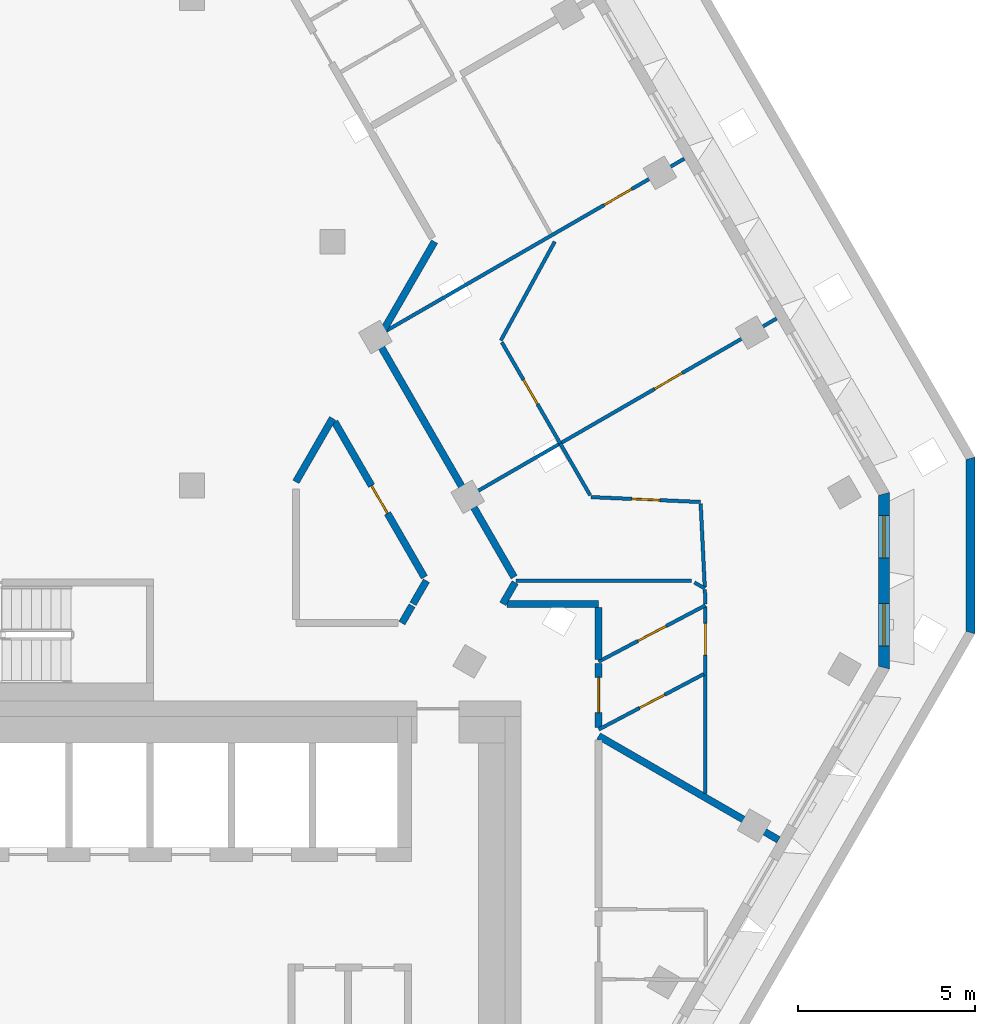
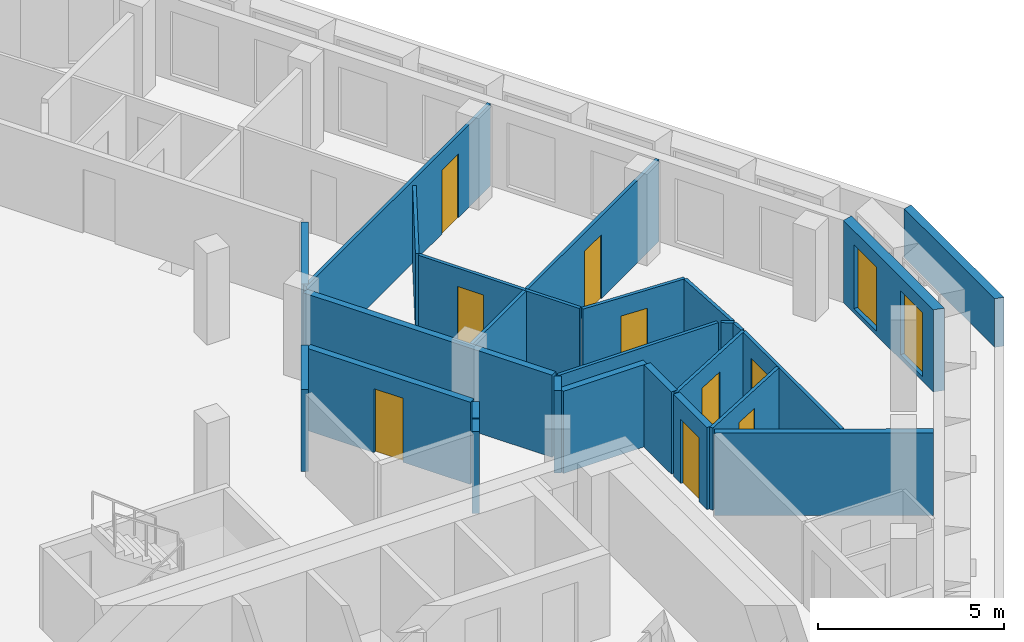
# One storey, part 6 of 15: 26 walls, 9 doors, 2 windows, 11 openings.
"""IFC4 building model written with IfcOpenShell, lengths in metres."""

from ifc_helpers import new_model, si_unit, direction, frame, frame_2d, origin, place, context, subcontext, project, spatial, polyline, rectangle, outline, extrude, material, layer, layer_set, type_object, element, fill, save


model = new_model("IFC4")

# Units and contexts
model_context = context("Model", 3, precision=1e-05, world=origin(), true_north=direction((0.0, 1.0)))
body_context = subcontext(model_context, "Body", "Model", "MODEL_VIEW")
ifc_project = project(units=[si_unit("LENGTHUNIT", "METRE"), si_unit("AREAUNIT", "SQUARE_METRE"), si_unit("VOLUMEUNIT", "CUBIC_METRE"), si_unit("PLANEANGLEUNIT", "RADIAN"), si_unit("MASSUNIT", "GRAM", prefix="KILO")], contexts=[model_context])

# Site, building, storey
site_placement = place(None, origin())
site = spatial("IfcSite", under=ifc_project, at=site_placement, CompositionType="ELEMENT")
building_placement = place(site_placement, origin())
building = spatial("IfcBuilding", under=site, at=building_placement, Name="Beryl Residences", CompositionType="ELEMENT")
storey_placement = place(building_placement, frame((0.0, 0.0, 202.800048828125)))
storey = spatial("IfcBuildingStorey", under=building, at=storey_placement, Name="L62", CompositionType="ELEMENT", Elevation=202.800048828125)

# Wall, openings, windows
ifc_material_1 = material(Name="Composite metal panel with mineral wool insulation")
ifc_layer_1 = layer(ifc_material_1, 0.300048828125)
ifc_layer_set_1 = layer_set([ifc_layer_1], Name="ES1 pale metal composite panel wall 300 mm")
wall_type_1 = type_object("IfcWallType", Name="ES1 pale metal composite panel wall 300 mm", PredefinedType="SOLIDWALL", material=ifc_layer_set_1)
wall_1_placement = place(storey_placement, frame((23.5791015625, -4.10009765625, 0.0), z_axis=(0.0, 0.0, 1.0), x_axis=(0.0, 1.0, 0.0)))
wall_1 = element("IfcWall", 1, at=wall_1_placement, inside=storey, type_object=wall_type_1, Name="ES1 external wall L62 SE-NE", PredefinedType="SOLIDWALL", context=body_context, shape_type="SweptSolid", body=[
    extrude(outline(polyline([(0.0, -0.14990234375), (5.0, -0.14990234375), (4.919677734375, 0.14990234375), (0.080322265625, 0.14990234375), (0.0, -0.14990234375)])), origin(), (0.0, 0.0, 1.0), 2.699951171875),
])
opening_1_placement = place(wall_1_placement, frame((0.64990234375, 0.0, 0.14990234375)))
opening_1 = element("IfcOpeningElement", 2, at=opening_1_placement, cuts=wall_1, Name="Opening W2", PredefinedType="OPENING", context=body_context, shape_type="SweptSolid", body=[
    extrude(rectangle(XDim=1.199951171875, YDim=2.10009765625, at=frame_2d((0.60009765625, 1.050048828125))), frame((0.0, 0.159912109375, 0.0), z_axis=(0.0, -1.0, 0.0), x_axis=(1.0, 0.0, 0.0)), (0.0, 0.0, 1.0), 0.320068359375),
])
opening_2_placement = place(wall_1_placement, frame((3.14990234375, 0.0, 0.14990234375)))
opening_2 = element("IfcOpeningElement", 3, at=opening_2_placement, cuts=wall_1, Name="Opening W2", PredefinedType="OPENING", context=body_context, shape_type="SweptSolid", body=[
    extrude(rectangle(XDim=1.199951171875, YDim=2.10009765625, at=frame_2d((0.60009765625, 1.050048828125))), frame((0.0, 0.159912109375, 0.0), z_axis=(0.0, -1.0, 0.0), x_axis=(1.0, 0.0, 0.0)), (0.0, 0.0, 1.0), 0.320068359375),
])
ifc_material_2 = material(Name="Aluminium and clear glass", Category="aluminium")
window_type = type_object("IfcWindowType", Name="W2 chamfer window 1200 x 2100 mm", PartitioningType="SINGLE_PANEL", PredefinedType="WINDOW", material=ifc_material_2)
window_1_placement = place(opening_1_placement, origin())
window_1 = element("IfcWindow", 4, at=window_1_placement, inside=storey, type_object=window_type, Name="W2 window L62 SE-NE 1", OverallHeight=2.10009765625, OverallWidth=1.199951171875, PartitioningType="SINGLE_PANEL", PredefinedType="WINDOW", context=body_context, shape_type="SweptSolid", body=[
    extrude(rectangle(XDim=1.199951171875, YDim=2.10009765625, at=frame_2d((0.60009765625, 1.050048828125))), frame((0.0, 0.030029296875, 0.0), z_axis=(0.0, -1.0, 0.0), x_axis=(1.0, 0.0, 0.0)), (0.0, 0.0, 1.0), 0.06005859375),
])
fill(opening_1, window_1)
window_2_placement = place(opening_2_placement, origin())
window_2 = element("IfcWindow", 5, at=window_2_placement, inside=storey, type_object=window_type, Name="W2 window L62 SE-NE 2", OverallHeight=2.10009765625, OverallWidth=1.199951171875, PartitioningType="SINGLE_PANEL", PredefinedType="WINDOW", context=body_context, shape_type="SweptSolid", body=[
    extrude(rectangle(XDim=1.199951171875, YDim=2.10009765625, at=frame_2d((0.60009765625, 1.050048828125))), frame((0.0, 0.030029296875, 0.0), z_axis=(0.0, -1.0, 0.0), x_axis=(1.0, 0.0, 0.0)), (0.0, 0.0, 1.0), 0.06005859375),
])
fill(opening_2, window_2)

# Wall
ifc_material_3 = material(Name="Precast concrete C40/50", Category="concrete")
ifc_layer_2 = layer(ifc_material_3, 0.25)
ifc_layer_set_2 = layer_set([ifc_layer_2], Name="PA1 roof parapet 250 mm")
wall_type_2 = type_object("IfcWallType", Name="PA1 roof parapet 250 mm", PredefinedType="PARAPET", material=ifc_layer_set_2)
wall_2_placement = place(storey_placement, frame((26.029052734375, 1.89990234375, 0.0), z_axis=(0.0, 0.0, 1.0), x_axis=(0.0, -1.0, 0.0)))
element("IfcWall", 6, at=wall_2_placement, inside=storey, type_object=wall_type_2, Name="PA1 parapet L62 strip 3", PredefinedType="PARAPET", context=body_context, shape_type="SweptSolid", body=[
    extrude(outline(polyline([(0.06689453125, -0.125), (4.93310546875, -0.125), (5.0, 0.125), (0.0, 0.125), (0.06689453125, -0.125)])), origin(), (0.0, 0.0, 1.0), 1.599853515625),
])

# Wall, opening, door
ifc_material_4 = material(Name="Gypsum board partition on steel studs", Category="steel")
ifc_layer_3 = layer(ifc_material_4, 0.10009765625)
ifc_layer_set_3 = layer_set([ifc_layer_3], Name="PT1 partition 100 mm gypsum board on steel studs")
wall_type_3 = type_object("IfcWallType", Name="PT1 partition 100 mm gypsum board on steel studs", PredefinedType="PARTITIONING", material=ifc_layer_set_3)
wall_3_placement = place(storey_placement, frame((12.759033203125, 5.14990234375, 0.0), z_axis=(0.0, 0.0, 1.0), x_axis=(0.499905801698, -0.866079782369, 0.0)))
wall_3 = element("IfcWall", 7, at=wall_3_placement, inside=storey, type_object=wall_type_3, Name="Wall PT1 L62 004", PredefinedType="PARTITIONING", context=body_context, shape_type="SweptSolid", body=[
    extrude(rectangle(XDim=3.304443359375, YDim=0.10009765625, at=frame_2d((1.65234375, 0.0))), origin(), (0.0, 0.0, 1.0), 2.699951171875),
])
opening_3_placement = place(wall_3_placement, frame((1.222900390625, 0.0, 0.0)))
opening_3 = element("IfcOpeningElement", 8, at=opening_3_placement, cuts=wall_3, Name="Opening D1836", PredefinedType="OPENING", context=body_context, shape_type="SweptSolid", body=[
    extrude(rectangle(XDim=0.800048828125, YDim=2.10009765625, at=frame_2d((0.39990234375, 1.050048828125))), frame((0.0, 0.06005859375, 0.0), z_axis=(0.0, -1.0, 0.0), x_axis=(1.0, 0.0, 0.0)), (0.0, 0.0, 1.0), 0.1201171875),
])
ifc_material_5 = material(Name="Timber door leaf", Category="wood")
door_type_1 = type_object("IfcDoorType", Name="D3 bathroom door 800 x 2100 mm", OperationType="SINGLE_SWING_LEFT", PredefinedType="DOOR", material=ifc_material_5)
door_1_placement = place(opening_3_placement, origin())
door_1 = element("IfcDoor", 9, at=door_1_placement, inside=storey, type_object=door_type_1, Name="Door D1836 L62 001", OperationType="SINGLE_SWING_RIGHT", OverallHeight=2.10009765625, OverallWidth=0.800048828125, PredefinedType="DOOR", context=body_context, shape_type="SweptSolid", body=[
    extrude(rectangle(XDim=0.800048828125, YDim=2.10009765625, at=frame_2d((0.39990234375, 1.050048828125))), frame((0.0, 0.02490234375, 0.0), z_axis=(0.0, -1.0, 0.0), x_axis=(1.0, 0.0, 0.0)), (0.0, 0.0, 1.0), 0.050048828125),
])
fill(opening_3, door_1)

# Walls
wall_4_placement = place(storey_placement, frame((18.387939453125, 0.5791015625, 0.0), z_axis=(0.0, 0.0, 1.0), x_axis=(0.049097293833, -0.998794000652, 0.0)))
element("IfcWall", 10, at=wall_4_placement, inside=storey, type_object=wall_type_3, Name="Wall PT1 L62 008", PredefinedType="PARTITIONING", context=body_context, shape_type="SweptSolid", body=[
    extrude(rectangle(XDim=2.362060546875, YDim=0.10009765625, at=frame_2d((1.18115234375, 0.0))), origin(), (0.0, 0.0, 1.0), 2.699951171875),
])
wall_5_placement = place(storey_placement, frame((18.507080078125, -1.85400390625, 0.0), z_axis=(0.0, 0.0, 1.0), x_axis=(0.036480787329, -0.999334354536, 0.0)))
element("IfcWall", 11, at=wall_5_placement, inside=storey, type_object=wall_type_3, Name="Wall PT1 L62 009", PredefinedType="PARTITIONING", context=body_context, shape_type="SweptSolid", body=[
    extrude(rectangle(XDim=0.408203125, YDim=0.10009765625, at=frame_2d((0.2041015625, 0.0))), origin(), (0.0, 0.0, 1.0), 2.699951171875),
])

# Wall, opening, door
wall_6_placement = place(storey_placement, frame((15.2880859375, 0.76806640625, 0.0), z_axis=(0.0, 0.0, 1.0), x_axis=(0.999006028269, -0.044575278833, 0.0)))
wall_6 = element("IfcWall", 12, at=wall_6_placement, inside=storey, type_object=wall_type_3, Name="Wall PT1 L62 014", PredefinedType="PARTITIONING", context=body_context, shape_type="SweptSolid", body=[
    extrude(rectangle(XDim=3.10009765625, YDim=0.10009765625, at=frame_2d((1.550048828125, 0.0))), origin(), (0.0, 0.0, 1.0), 2.699951171875),
])
opening_4_placement = place(wall_6_placement, frame((1.14990234375, 0.0, 0.0)))
opening_4 = element("IfcOpeningElement", 13, at=opening_4_placement, cuts=wall_6, Name="Opening D1834", PredefinedType="OPENING", context=body_context, shape_type="SweptSolid", body=[
    extrude(rectangle(XDim=0.800048828125, YDim=2.10009765625, at=frame_2d((0.39990234375, 1.050048828125))), frame((0.0, 0.06005859375, 0.0), z_axis=(0.0, -1.0, 0.0), x_axis=(1.0, 0.0, 0.0)), (0.0, 0.0, 1.0), 0.1201171875),
])
door_2_placement = place(opening_4_placement, origin())
door_2 = element("IfcDoor", 14, at=door_2_placement, inside=storey, type_object=door_type_1, Name="Door D1834 L62 001", OperationType="SINGLE_SWING_RIGHT", OverallHeight=2.10009765625, OverallWidth=0.800048828125, PredefinedType="DOOR", context=body_context, shape_type="SweptSolid", body=[
    extrude(rectangle(XDim=0.800048828125, YDim=2.10009765625, at=frame_2d((0.39990234375, 1.050048828125))), frame((0.0, 0.02490234375, 0.0), z_axis=(0.0, -1.0, 0.0), x_axis=(1.0, 0.0, 0.0)), (0.0, 0.0, 1.0), 0.050048828125),
])
fill(opening_4, door_2)

# Walls
wall_7_placement = place(storey_placement, frame((18.2119140625, -1.64892578125, 0.0), z_axis=(0.0, 0.0, 1.0), x_axis=(0.865622947871, -0.500696427109, 0.0)))
element("IfcWall", 15, at=wall_7_placement, inside=storey, type_object=wall_type_3, Name="Wall PT1 L62 019", PredefinedType="PARTITIONING", context=body_context, shape_type="SweptSolid", body=[
    extrude(rectangle(XDim=0.33984375, YDim=0.10009765625, at=frame_2d((0.169921875, 0.0))), origin(), (0.0, 0.0, 1.0), 2.699951171875),
])
wall_8_placement = place(storey_placement, frame((13.1630859375, -1.59912109375, 0.0), z_axis=(0.0, 0.0, 1.0), x_axis=(1.0, 0.0, 0.0)))
element("IfcWall", 16, at=wall_8_placement, inside=storey, type_object=wall_type_3, Name="Wall PT1 L62 025", PredefinedType="PARTITIONING", context=body_context, shape_type="SweptSolid", body=[
    extrude(rectangle(XDim=4.9619140625, YDim=0.10009765625, at=frame_2d((2.48095703125, 0.0))), origin(), (0.0, 0.0, 1.0), 2.699951171875),
])
wall_9_placement = place(storey_placement, frame((12.72900390625, 5.200927734375, 0.0), z_axis=(0.0, 0.0, 1.0), x_axis=(0.478932598182, 0.877851676764, 0.0)))
element("IfcWall", 17, at=wall_9_placement, inside=storey, type_object=wall_type_3, Name="Wall PT1 L62 031", PredefinedType="PARTITIONING", context=body_context, shape_type="SweptSolid", body=[
    extrude(rectangle(XDim=3.1884765625, YDim=0.10009765625, at=frame_2d((1.59423828125, 0.0))), origin(), (0.0, 0.0, 1.0), 2.699951171875),
])

# Wall, opening, door
wall_10_placement = place(storey_placement, frame((18.52392578125, -7.625, 0.0), z_axis=(0.0, 0.0, 1.0), x_axis=(0.0, 1.0, 0.0)))
wall_10 = element("IfcWall", 18, at=wall_10_placement, inside=storey, type_object=wall_type_3, Name="Wall PT1 L62 038", PredefinedType="PARTITIONING", context=body_context, shape_type="SweptSolid", body=[
    extrude(rectangle(XDim=5.29296875, YDim=0.10009765625, at=frame_2d((2.646484375, 0.0))), origin(), (0.0, 0.0, 1.0), 2.699951171875),
])
opening_5_placement = place(wall_10_placement, frame((3.9169921875, 0.0, 0.0)))
opening_5 = element("IfcOpeningElement", 19, at=opening_5_placement, cuts=wall_10, Name="Opening D1832", PredefinedType="OPENING", context=body_context, shape_type="SweptSolid", body=[
    extrude(rectangle(XDim=0.89990234375, YDim=2.10009765625, at=frame_2d((0.449951171875, 1.050048828125))), frame((0.0, 0.06005859375, 0.0), z_axis=(0.0, -1.0, 0.0), x_axis=(1.0, 0.0, 0.0)), (0.0, 0.0, 1.0), 0.1201171875),
])
ifc_material_6 = material(Name="Timber door leaf", Category="wood")
door_type_2 = type_object("IfcDoorType", Name="D2 room door 900 x 2100 mm", OperationType="SINGLE_SWING_LEFT", PredefinedType="DOOR", material=ifc_material_6)
door_3_placement = place(opening_5_placement, origin())
door_3 = element("IfcDoor", 20, at=door_3_placement, inside=storey, type_object=door_type_2, Name="Door D1832 L62 001", OperationType="SINGLE_SWING_RIGHT", OverallHeight=2.10009765625, OverallWidth=0.89990234375, PredefinedType="DOOR", context=body_context, shape_type="SweptSolid", body=[
    extrude(rectangle(XDim=0.89990234375, YDim=2.10009765625, at=frame_2d((0.449951171875, 1.050048828125))), frame((0.0, 0.02490234375, 0.0), z_axis=(0.0, -1.0, 0.0), x_axis=(1.0, 0.0, 0.0)), (0.0, 0.0, 1.0), 0.050048828125),
])
fill(opening_5, door_3)

wall_11_placement = place(storey_placement, frame((15.5, -3.889892578125, 0.0), z_axis=(0.0, 0.0, 1.0), x_axis=(0.884504274727, 0.466532086775, 0.0)))
wall_11 = element("IfcWall", 21, at=wall_11_placement, inside=storey, type_object=wall_type_3, Name="Wall PT1 L62 043", PredefinedType="PARTITIONING", context=body_context, shape_type="SweptSolid", body=[
    extrude(rectangle(XDim=3.418701171875, YDim=0.10009765625, at=frame_2d((1.70947265625, 0.0))), origin(), (0.0, 0.0, 1.0), 2.699951171875),
])
opening_6_placement = place(wall_11_placement, frame((1.259033203125, 0.0, 0.0)))
opening_6 = element("IfcOpeningElement", 22, at=opening_6_placement, cuts=wall_11, Name="Opening D1831", PredefinedType="OPENING", context=body_context, shape_type="SweptSolid", body=[
    extrude(rectangle(XDim=0.89990234375, YDim=2.10009765625, at=frame_2d((0.449951171875, 1.050048828125))), frame((0.0, 0.06005859375, 0.0), z_axis=(0.0, -1.0, 0.0), x_axis=(1.0, 0.0, 0.0)), (0.0, 0.0, 1.0), 0.1201171875),
])
door_4_placement = place(opening_6_placement, origin())
door_4 = element("IfcDoor", 23, at=door_4_placement, inside=storey, type_object=door_type_2, Name="Door D1831 L62 001", OperationType="SINGLE_SWING_LEFT", OverallHeight=2.10009765625, OverallWidth=0.89990234375, PredefinedType="DOOR", context=body_context, shape_type="SweptSolid", body=[
    extrude(rectangle(XDim=0.89990234375, YDim=2.10009765625, at=frame_2d((0.449951171875, 1.050048828125))), frame((0.0, 0.02490234375, 0.0), z_axis=(0.0, -1.0, 0.0), x_axis=(1.0, 0.0, 0.0)), (0.0, 0.0, 1.0), 0.050048828125),
])
fill(opening_6, door_4)

wall_12_placement = place(storey_placement, frame((15.5, -5.81201171875, 0.0), z_axis=(0.0, 0.0, 1.0), x_axis=(0.884576181409, 0.46639573249, 0.0)))
wall_12 = element("IfcWall", 24, at=wall_12_placement, inside=storey, type_object=wall_type_3, Name="Wall PT1 L62 044", PredefinedType="PARTITIONING", context=body_context, shape_type="SweptSolid", body=[
    extrude(rectangle(XDim=3.3623046875, YDim=0.10009765625, at=frame_2d((1.68115234375, 0.0))), origin(), (0.0, 0.0, 1.0), 2.699951171875),
])
opening_7_placement = place(wall_12_placement, frame((1.30908203125, 0.0, 0.0)))
opening_7 = element("IfcOpeningElement", 25, at=opening_7_placement, cuts=wall_12, Name="Opening D1830", PredefinedType="OPENING", context=body_context, shape_type="SweptSolid", body=[
    extrude(rectangle(XDim=0.800048828125, YDim=2.10009765625, at=frame_2d((0.39990234375, 1.050048828125))), frame((0.0, 0.06005859375, 0.0), z_axis=(0.0, -1.0, 0.0), x_axis=(1.0, 0.0, 0.0)), (0.0, 0.0, 1.0), 0.1201171875),
])
door_5_placement = place(opening_7_placement, origin())
door_5 = element("IfcDoor", 26, at=door_5_placement, inside=storey, type_object=door_type_1, Name="Door D1830 L62 001", OperationType="SINGLE_SWING_RIGHT", OverallHeight=2.10009765625, OverallWidth=0.800048828125, PredefinedType="DOOR", context=body_context, shape_type="SweptSolid", body=[
    extrude(rectangle(XDim=0.800048828125, YDim=2.10009765625, at=frame_2d((0.39990234375, 1.050048828125))), frame((0.0, 0.02490234375, 0.0), z_axis=(0.0, -1.0, 0.0), x_axis=(1.0, 0.0, 0.0)), (0.0, 0.0, 1.0), 0.050048828125),
])
fill(opening_7, door_5)

wall_13_placement = place(storey_placement, frame((11.87890625, 0.825927734375, 0.0), z_axis=(0.0, 0.0, 1.0), x_axis=(0.866065245018, 0.499930986609, 0.0)))
wall_13 = element("IfcWall", 27, at=wall_13_placement, inside=storey, type_object=wall_type_3, Name="Wall PT1 L62 047", PredefinedType="PARTITIONING", context=body_context, shape_type="SweptSolid", body=[
    extrude(rectangle(XDim=9.99951171875, YDim=0.10009765625, at=frame_2d((4.999755859375, 0.0))), origin(), (0.0, 0.0, 1.0), 2.699951171875),
])
opening_8_placement = place(wall_13_placement, frame((6.011962890625, 0.0, 0.0)))
opening_8 = element("IfcOpeningElement", 28, at=opening_8_placement, cuts=wall_13, Name="Opening D1833", PredefinedType="OPENING", context=body_context, shape_type="SweptSolid", body=[
    extrude(rectangle(XDim=0.89990234375, YDim=2.10009765625, at=frame_2d((0.449951171875, 1.050048828125))), frame((0.0, 0.06005859375, 0.0), z_axis=(0.0, -1.0, 0.0), x_axis=(1.0, 0.0, 0.0)), (0.0, 0.0, 1.0), 0.1201171875),
])
door_6_placement = place(opening_8_placement, origin())
door_6 = element("IfcDoor", 29, at=door_6_placement, inside=storey, type_object=door_type_2, Name="Door D1833 L62 001", OperationType="SINGLE_SWING_LEFT", OverallHeight=2.10009765625, OverallWidth=0.89990234375, PredefinedType="DOOR", context=body_context, shape_type="SweptSolid", body=[
    extrude(rectangle(XDim=0.89990234375, YDim=2.10009765625, at=frame_2d((0.449951171875, 1.050048828125))), frame((0.0, 0.02490234375, 0.0), z_axis=(0.0, -1.0, 0.0), x_axis=(1.0, 0.0, 0.0)), (0.0, 0.0, 1.0), 0.050048828125),
])
fill(opening_8, door_6)

wall_14_placement = place(storey_placement, frame((9.35400390625, 5.40087890625, 0.0), z_axis=(0.0, 0.0, 1.0), x_axis=(0.866018411306, 0.500012111133, 0.0)))
wall_14 = element("IfcWall", 30, at=wall_14_placement, inside=storey, type_object=wall_type_3, Name="Wall PT1 L62 048", PredefinedType="PARTITIONING", context=body_context, shape_type="SweptSolid", body=[
    extrude(rectangle(XDim=9.898193359375, YDim=0.10009765625, at=frame_2d((4.94921875, 0.0))), origin(), (0.0, 0.0, 1.0), 2.699951171875),
])
opening_9_placement = place(wall_14_placement, frame((7.277099609375, 0.0, 0.0)))
opening_9 = element("IfcOpeningElement", 31, at=opening_9_placement, cuts=wall_14, Name="Opening D1835", PredefinedType="OPENING", context=body_context, shape_type="SweptSolid", body=[
    extrude(rectangle(XDim=0.89990234375, YDim=2.10009765625, at=frame_2d((0.449951171875, 1.050048828125))), frame((0.0, 0.06005859375, 0.0), z_axis=(0.0, -1.0, 0.0), x_axis=(1.0, 0.0, 0.0)), (0.0, 0.0, 1.0), 0.1201171875),
])
door_7_placement = place(opening_9_placement, origin())
door_7 = element("IfcDoor", 32, at=door_7_placement, inside=storey, type_object=door_type_2, Name="Door D1835 L62 001", OperationType="SINGLE_SWING_LEFT", OverallHeight=2.10009765625, OverallWidth=0.89990234375, PredefinedType="DOOR", context=body_context, shape_type="SweptSolid", body=[
    extrude(rectangle(XDim=0.89990234375, YDim=2.10009765625, at=frame_2d((0.449951171875, 1.050048828125))), frame((0.0, 0.02490234375, 0.0), z_axis=(0.0, -1.0, 0.0), x_axis=(1.0, 0.0, 0.0)), (0.0, 0.0, 1.0), 0.050048828125),
])
fill(opening_9, door_7)

# Walls
wall_15_placement = place(storey_placement, frame((14.410888671875, 2.2880859375, 0.0), z_axis=(0.0, 0.0, 1.0), x_axis=(0.500009005995, -0.866020204108, 0.0)))
element("IfcWall", 33, at=wall_15_placement, inside=storey, type_object=wall_type_3, Name="Wall PT1 L62 051", PredefinedType="PARTITIONING", context=body_context, shape_type="SweptSolid", body=[
    extrude(rectangle(XDim=1.6962890625, YDim=0.10009765625, at=frame_2d((0.84814453125, 0.0))), origin(), (0.0, 0.0, 1.0), 2.699951171875),
])
ifc_material_7 = material(Name="Acoustic double stud gypsum board wall")
ifc_layer_4 = layer(ifc_material_7, 0.199951171875)
ifc_layer_set_4 = layer_set([ifc_layer_4], Name="PT3 party wall 200 mm acoustic double stud")
wall_type_4 = type_object("IfcWallType", Name="PT3 party wall 200 mm acoustic double stud", PredefinedType="PARTITIONING", material=ifc_layer_set_4)
wall_16_placement = place(storey_placement, frame((15.5, -5.9951171875, 0.0), z_axis=(0.0, 0.0, 1.0), x_axis=(0.866052111102, -0.499953738716, 0.0)))
element("IfcWall", 34, at=wall_16_placement, inside=storey, type_object=wall_type_4, Name="Wall PT3 L62 005", PredefinedType="PARTITIONING", context=body_context, shape_type="SweptSolid", body=[
    extrude(rectangle(XDim=5.87841796875, YDim=0.199951171875, at=frame_2d((2.939208984375, 0.0))), origin(), (0.0, 0.0, 1.0), 2.699951171875),
])

# Wall, opening, door
ifc_material_8 = material(Name="Double stud gypsum board wall")
ifc_layer_5 = layer(ifc_material_8, 0.199951171875)
ifc_layer_set_5 = layer_set([ifc_layer_5], Name="PT4 corridor wall 200 mm double stud")
wall_type_5 = type_object("IfcWallType", Name="PT4 corridor wall 200 mm double stud", PredefinedType="PARTITIONING", material=ifc_layer_set_5)
wall_17_placement = place(storey_placement, frame((8.02587890625, 2.89892578125, 0.0), z_axis=(0.0, 0.0, 1.0), x_axis=(0.499986018985, -0.866033475577, 0.0)))
wall_17 = element("IfcWall", 35, at=wall_17_placement, inside=storey, type_object=wall_type_5, Name="Wall PT4 L62 005", PredefinedType="PARTITIONING", context=body_context, shape_type="SweptSolid", body=[
    extrude(rectangle(XDim=5.078369140625, YDim=0.199951171875, at=frame_2d((2.5390625, 0.0))), origin(), (0.0, 0.0, 1.0), 2.699951171875),
])
opening_10_placement = place(wall_17_placement, frame((2.089111328125, 0.0, 0.0)))
opening_10 = element("IfcOpeningElement", 36, at=opening_10_placement, cuts=wall_17, Name="Opening D1843", PredefinedType="OPENING", context=body_context, shape_type="SweptSolid", body=[
    extrude(rectangle(XDim=0.89990234375, YDim=2.10009765625, at=frame_2d((0.449951171875, 1.050048828125))), frame((0.0, 0.10986328125, 0.0), z_axis=(0.0, -1.0, 0.0), x_axis=(1.0, 0.0, 0.0)), (0.0, 0.0, 1.0), 0.219970703125),
])
door_8_placement = place(opening_10_placement, origin())
door_8 = element("IfcDoor", 37, at=door_8_placement, inside=storey, type_object=door_type_2, Name="Door D1843 L62 001", OperationType="SINGLE_SWING_LEFT", OverallHeight=2.10009765625, OverallWidth=0.89990234375, PredefinedType="DOOR", context=body_context, shape_type="SweptSolid", body=[
    extrude(rectangle(XDim=0.89990234375, YDim=2.10009765625, at=frame_2d((0.449951171875, 1.050048828125))), frame((0.0, 0.02490234375, 0.0), z_axis=(0.0, -1.0, 0.0), x_axis=(1.0, 0.0, 0.0)), (0.0, 0.0, 1.0), 0.050048828125),
])
fill(opening_10, door_8)

# Walls
wall_18_placement = place(storey_placement, frame((9.238037109375, 5.199951171875, 0.0), z_axis=(0.0, 0.0, 1.0), x_axis=(0.500025705601, -0.86601056214, 0.0)))
element("IfcWall", 38, at=wall_18_placement, inside=storey, type_object=wall_type_5, Name="Wall PT4 L62 006", PredefinedType="PARTITIONING", context=body_context, shape_type="SweptSolid", body=[
    extrude(rectangle(XDim=7.7353515625, YDim=0.199951171875, at=frame_2d((3.86767578125, 0.0))), origin(), (0.0, 0.0, 1.0), 2.699951171875),
])
wall_19_placement = place(storey_placement, frame((15.5, -2.35595703125, 0.0), z_axis=(0.0, 0.0, 1.0), x_axis=(0.0, -1.0, 0.0)))
element("IfcWall", 39, at=wall_19_placement, inside=storey, type_object=wall_type_5, Name="Wall PT4 L62 010", PredefinedType="PARTITIONING", context=body_context, shape_type="SweptSolid", body=[
    extrude(rectangle(XDim=1.47802734375, YDim=0.199951171875, at=frame_2d((0.739013671875, 0.0))), origin(), (0.0, 0.0, 1.0), 2.699951171875),
])
wall_20_placement = place(storey_placement, frame((12.902099609375, -2.256103515625, 0.0), z_axis=(0.0, 0.0, 1.0), x_axis=(1.0, 0.0, 0.0)))
element("IfcWall", 40, at=wall_20_placement, inside=storey, type_object=wall_type_5, Name="Wall PT4 L62 015", PredefinedType="PARTITIONING", context=body_context, shape_type="SweptSolid", body=[
    extrude(rectangle(XDim=2.597900390625, YDim=0.199951171875, at=frame_2d((1.298828125, 0.0))), origin(), (0.0, 0.0, 1.0), 2.699951171875),
])
wall_21_placement = place(storey_placement, frame((6.927978515625, 1.199951171875, 0.0), z_axis=(0.0, 0.0, 1.0), x_axis=(0.500132712588, 0.865948768577, 0.0)))
element("IfcWall", 41, at=wall_21_placement, inside=storey, type_object=wall_type_5, Name="Wall PT4 L62 020", PredefinedType="PARTITIONING", context=body_context, shape_type="SweptSolid", body=[
    extrude(rectangle(XDim=2.07763671875, YDim=0.199951171875, at=frame_2d((1.038818359375, 0.0))), origin(), (0.0, 0.0, 1.0), 2.699951171875),
])
wall_22_placement = place(storey_placement, frame((9.404052734375, 5.487060546875, 0.0), z_axis=(0.0, 0.0, 1.0), x_axis=(0.499768590677, 0.866158966803, 0.0)))
element("IfcWall", 42, at=wall_22_placement, inside=storey, type_object=wall_type_5, Name="Wall PT4 L62 021", PredefinedType="PARTITIONING", context=body_context, shape_type="SweptSolid", body=[
    extrude(rectangle(XDim=2.901123046875, YDim=0.199951171875, at=frame_2d((1.45068359375, 0.0))), origin(), (0.0, 0.0, 1.0), 2.699951171875),
])
wall_23_placement = place(storey_placement, frame((9.929931640625, -2.800048828125, 0.0), z_axis=(0.0, 0.0, 1.0), x_axis=(0.500164219654, 0.865930570761, 0.0)))
element("IfcWall", 43, at=wall_23_placement, inside=storey, type_object=wall_type_5, Name="Wall PT4 L62 022", PredefinedType="PARTITIONING", context=body_context, shape_type="SweptSolid", body=[
    extrude(rectangle(XDim=0.573974609375, YDim=0.199951171875, at=frame_2d((0.287109375, 0.0))), origin(), (0.0, 0.0, 1.0), 2.699951171875),
])
wall_24_placement = place(storey_placement, frame((10.243896484375, -2.2548828125, 0.0), z_axis=(0.0, 0.0, 1.0), x_axis=(0.50109986513, 0.865389464442, 0.0)))
element("IfcWall", 44, at=wall_24_placement, inside=storey, type_object=wall_type_5, Name="Wall PT4 L62 023", PredefinedType="PARTITIONING", context=body_context, shape_type="SweptSolid", body=[
    extrude(rectangle(XDim=0.756591796875, YDim=0.199951171875, at=frame_2d((0.37841796875, 0.0))), origin(), (0.0, 0.0, 1.0), 2.699951171875),
])
wall_25_placement = place(storey_placement, frame((12.784912109375, -2.25390625, 0.0), z_axis=(0.0, 0.0, 1.0), x_axis=(0.500871040665, 0.865521923826, 0.0)))
element("IfcWall", 45, at=wall_25_placement, inside=storey, type_object=wall_type_5, Name="Wall PT4 L62 024", PredefinedType="PARTITIONING", context=body_context, shape_type="SweptSolid", body=[
    extrude(rectangle(XDim=0.698974609375, YDim=0.199951171875, at=frame_2d((0.349609375, 0.0))), origin(), (0.0, 0.0, 1.0), 2.699951171875),
])

# Wall, opening, door
wall_26_placement = place(storey_placement, frame((15.5, -5.756103515625, 0.0), z_axis=(0.0, 0.0, 1.0), x_axis=(0.0, 1.0, 0.0)))
wall_26 = element("IfcWall", 46, at=wall_26_placement, inside=storey, type_object=wall_type_5, Name="Wall PT4 L62 030", PredefinedType="PARTITIONING", context=body_context, shape_type="SweptSolid", body=[
    extrude(rectangle(XDim=1.80908203125, YDim=0.199951171875, at=frame_2d((0.904541015625, 0.0))), origin(), (0.0, 0.0, 1.0), 2.699951171875),
])
opening_11_placement = place(wall_26_placement, frame((0.419921875, 0.0, 0.0)))
opening_11 = element("IfcOpeningElement", 47, at=opening_11_placement, cuts=wall_26, Name="Opening D1829", PredefinedType="OPENING", context=body_context, shape_type="SweptSolid", body=[
    extrude(rectangle(XDim=1.0, YDim=2.10009765625, at=frame_2d((0.5, 1.050048828125))), frame((0.0, 0.10986328125, 0.0), z_axis=(0.0, -1.0, 0.0), x_axis=(1.0, 0.0, 0.0)), (0.0, 0.0, 1.0), 0.219970703125),
])
ifc_material_9 = material(Name="Timber door leaf", Category="wood")
door_type_3 = type_object("IfcDoorType", Name="D1 flat entrance door 1000 x 2100 mm", OperationType="SINGLE_SWING_LEFT", PredefinedType="DOOR", material=ifc_material_9)
door_9_placement = place(opening_11_placement, origin())
door_9 = element("IfcDoor", 48, at=door_9_placement, inside=storey, type_object=door_type_3, Name="Door D1829 L62 001", OperationType="SINGLE_SWING_LEFT", OverallHeight=2.10009765625, OverallWidth=1.0, PredefinedType="DOOR", context=body_context, shape_type="SweptSolid", body=[
    extrude(rectangle(XDim=1.0, YDim=2.10009765625, at=frame_2d((0.5, 1.050048828125))), frame((0.0, 0.02490234375, 0.0), z_axis=(0.0, -1.0, 0.0), x_axis=(1.0, 0.0, 0.0)), (0.0, 0.0, 1.0), 0.050048828125),
])
fill(opening_11, door_9)

save(model, "model.ifc")
